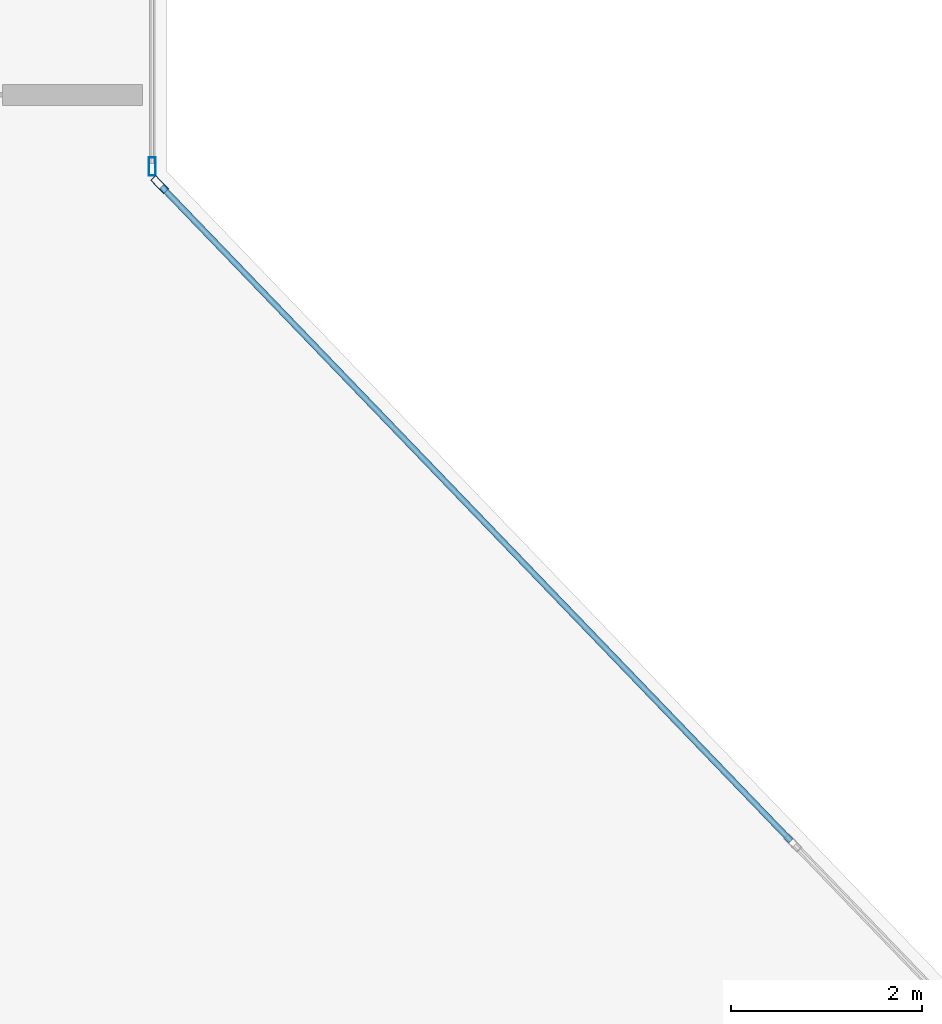
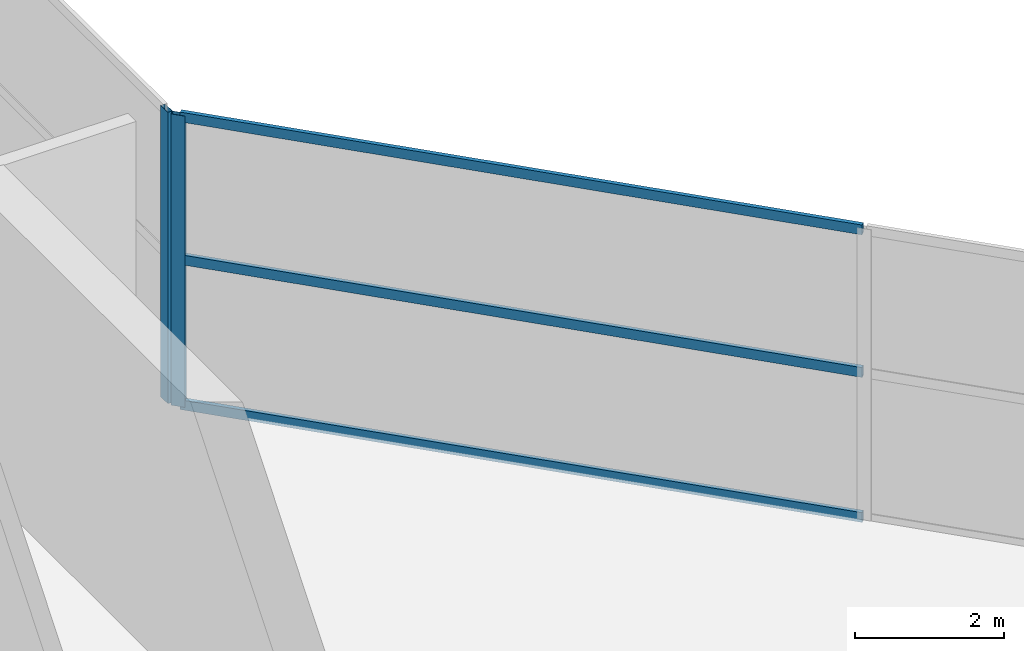
# One storey, part 17 of 22: 5 members, 2 elements without a shape of their own.
"""IFC4 building model written with IfcOpenShell, lengths in metres."""

from ifc_helpers import new_model, si_unit, direction, frame, origin, origin_2d, place, context, subcontext, project, spatial, hollow_rectangle, extrude, material, layer, layer_set, material_profile, profile_set, type_object, element, aggregate, save


model = new_model("IFC4")

# Units and contexts
model_context = context("Model", 3, precision=1e-05, world=origin(), true_north=direction((0.0, 1.0)))
body_context = subcontext(model_context, "Body", "Model", "MODEL_VIEW")
ifc_project = project(units=[si_unit("LENGTHUNIT", "METRE"), si_unit("AREAUNIT", "SQUARE_METRE"), si_unit("VOLUMEUNIT", "CUBIC_METRE"), si_unit("PLANEANGLEUNIT", "RADIAN"), si_unit("MASSUNIT", "GRAM", prefix="KILO")], contexts=[model_context])

# Site, building, storey
site_placement = place(None, origin())
site = spatial("IfcSite", under=ifc_project, at=site_placement, CompositionType="ELEMENT")
building_placement = place(site_placement, origin())
building = spatial("IfcBuilding", under=site, at=building_placement, Name="Calvorn Quay Hotel", CompositionType="ELEMENT")
storey_placement = place(building_placement, frame((0.0, 0.0, 325.5)))
storey = spatial("IfcBuildingStorey", under=building, at=storey_placement, Name="L80", CompositionType="ELEMENT", Elevation=325.5)

# Curtain wall, member
ifc_material_1 = material(Name="Pale Anodised Aluminium and Laminated Glass", Category="aluminium")
ifc_layer = layer(ifc_material_1, 0.219970703125)
ifc_layer_set = layer_set([ifc_layer], Name="CW-SYS-CRN")
curtain_wall_type = type_object("IfcCurtainWallType", Name="CW-SYS-CRN", PredefinedType="NOTDEFINED", material=ifc_layer_set)
curtain_wall_1_placement = place(storey_placement, origin())
curtain_wall_1 = element("IfcCurtainWall", 1, at=curtain_wall_1_placement, inside=storey, type_object=curtain_wall_type, Name="Crown Curtain Wall L80-C3", PredefinedType="NOTDEFINED")
ifc_material_2 = material(Name="Pale Anodised Aluminium 6063-T6", Category="aluminium")
ifc_material_profile_1 = material_profile(ifc_material_2, hollow_rectangle(XDim=0.072021484375, YDim=0.195068359375, WallThickness=0.00390625, at=origin_2d()), Name="ALU-M195x72x4")
ifc_profile_set_1 = profile_set([ifc_material_profile_1], Name="Pale Anodised Aluminium 6063-T6")
member_type_1 = type_object("IfcMemberType", Name="CW-SYS-CRN-MUL", PredefinedType="MULLION", material=ifc_profile_set_1)
member_1_placement = place(storey_placement, frame((17.9267578125, 38.260498046875, 0.0), z_axis=(0.0, 0.0, 1.0), x_axis=(-0.720707853232, -0.69323891285, 0.0)))
member_1 = element("IfcMember", 2, at=member_1_placement, type_object=member_type_1, Name="CW-L80-C3 mullion 3", PredefinedType="MULLION", context=body_context, shape_type="SweptSolid", body=[
    extrude(hollow_rectangle(XDim=0.072021484375, YDim=0.195068359375, WallThickness=0.00390625, at=origin_2d()), origin(), (0.0, 0.0, 1.0), 4.760009765625),
])

curtain_wall_2_placement = place(storey_placement, origin())
curtain_wall_2 = element("IfcCurtainWall", 3, at=curtain_wall_2_placement, inside=storey, type_object=curtain_wall_type, Name="Crown Curtain Wall L80-C4", PredefinedType="NOTDEFINED")
member_2_placement = place(storey_placement, frame((17.85009765625, 38.449951171875, 0.0), z_axis=(0.0, 0.0, 1.0), x_axis=(-1.0, 0.0, 0.0)))
member_2 = element("IfcMember", 4, at=member_2_placement, type_object=member_type_1, Name="CW-L80-C4 mullion 1", PredefinedType="MULLION", context=body_context, shape_type="SweptSolid", body=[
    extrude(hollow_rectangle(XDim=0.072021484375, YDim=0.195068359375, WallThickness=0.00390625, at=origin_2d()), origin(), (0.0, 0.0, 1.0), 4.760009765625),
])
aggregate(curtain_wall_2, [member_2])

# Member
ifc_material_3 = material(Name="Pale Anodised Aluminium 6063-T6", Category="aluminium")
ifc_material_profile_2 = material_profile(ifc_material_3, hollow_rectangle(XDim=0.06201171875, YDim=0.159912109375, WallThickness=0.00341796875, at=origin_2d()), Name="ALU-T160x62x3.5")
ifc_profile_set_2 = profile_set([ifc_material_profile_2], Name="Pale Anodised Aluminium 6063-T6")
member_type_2 = type_object("IfcMemberType", Name="CW-SYS-CRN-TRN", PredefinedType="USERDEFINED", material=ifc_profile_set_2)
member_3_placement = place(storey_placement, frame((24.53515625, 31.39013671875, 0.030029296875), z_axis=(-0.69324117221, 0.720705679978, 0.0), x_axis=(-0.720705679978, -0.69324117221, 0.0)))
member_3 = element("IfcMember", 5, at=member_3_placement, type_object=member_type_2, Name="CW-L80-C3 transom 2.1", ObjectType="TRANSOM", PredefinedType="USERDEFINED", context=body_context, shape_type="SweptSolid", body=[
    extrude(hollow_rectangle(XDim=0.06201171875, YDim=0.159912109375, WallThickness=0.00341796875, at=origin_2d()), origin(), (0.0, 0.0, 1.0), 9.502685546875),
])

member_4_placement = place(storey_placement, frame((24.53515625, 31.39013671875, 2.39990234375), z_axis=(-0.69324117221, 0.720705679978, 0.0), x_axis=(-0.720705679978, -0.69324117221, 0.0)))
member_4 = element("IfcMember", 6, at=member_4_placement, type_object=member_type_2, Name="CW-L80-C3 transom 2.2", ObjectType="TRANSOM", PredefinedType="USERDEFINED", context=body_context, shape_type="SweptSolid", body=[
    extrude(hollow_rectangle(XDim=0.06201171875, YDim=0.159912109375, WallThickness=0.00341796875, at=origin_2d()), origin(), (0.0, 0.0, 1.0), 9.502685546875),
])

member_5_placement = place(storey_placement, frame((24.53515625, 31.39013671875, 4.72998046875), z_axis=(-0.69324117221, 0.720705679978, 0.0), x_axis=(-0.720705679978, -0.69324117221, 0.0)))
member_5 = element("IfcMember", 7, at=member_5_placement, type_object=member_type_2, Name="CW-L80-C3 transom 2.3", ObjectType="TRANSOM", PredefinedType="USERDEFINED", context=body_context, shape_type="SweptSolid", body=[
    extrude(hollow_rectangle(XDim=0.06201171875, YDim=0.159912109375, WallThickness=0.00341796875, at=origin_2d()), origin(), (0.0, 0.0, 1.0), 9.502685546875),
])

aggregate(curtain_wall_1, [member_1, member_3, member_4, member_5])

save(model, "model.ifc")
